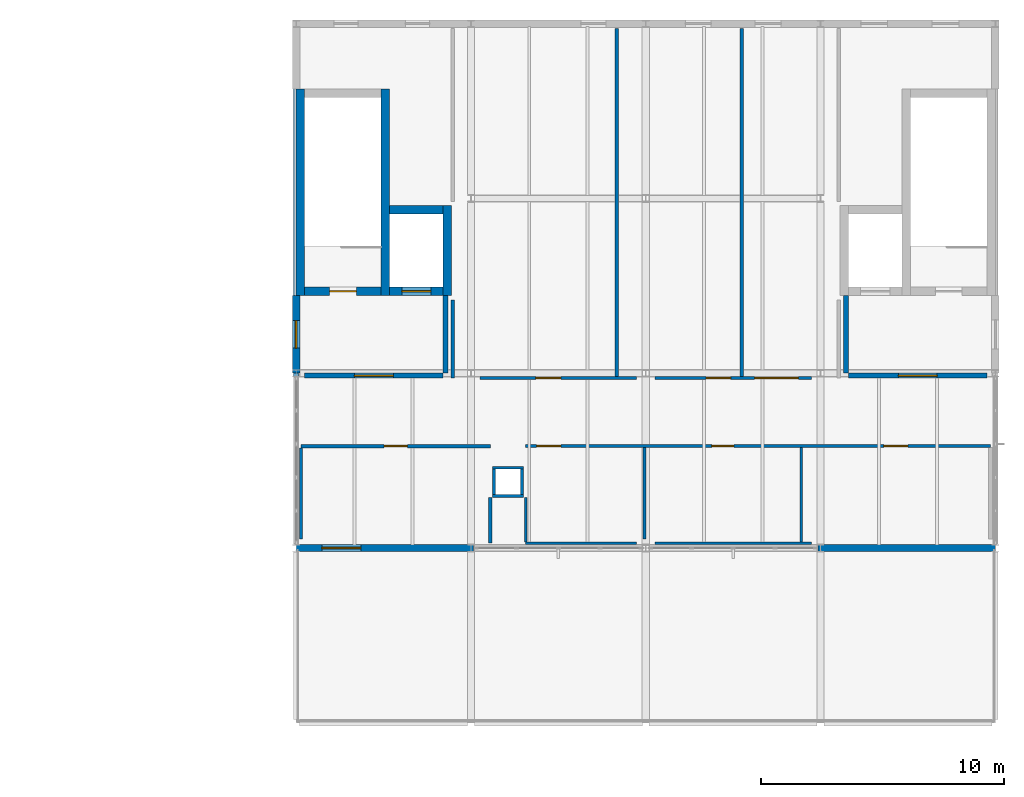
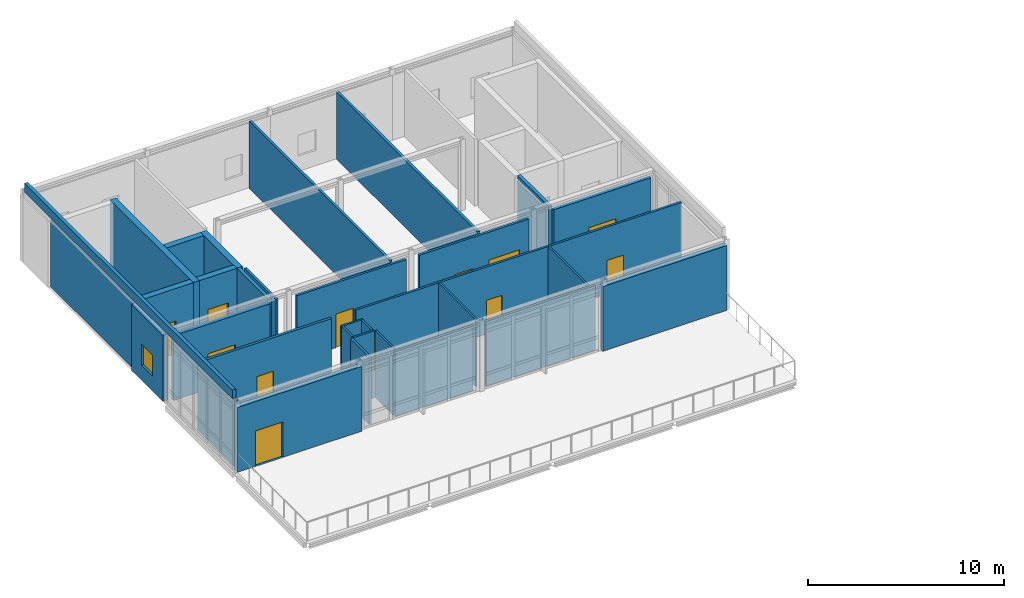
# One storey, part 16 of 21: 32 walls, 12 doors, 1 window, 13 openings.
"""IFC4 building model written with IfcOpenShell, lengths in metres."""

from ifc_helpers import new_model, si_unit, direction, frame, frame_2d, origin, place, context, subcontext, project, spatial, rectangle, extrude, material, layer, layer_set, type_object, element, fill, save


model = new_model("IFC4")

# Units and contexts
model_context = context("Model", 3, precision=1e-05, world=origin(), true_north=direction((0.0, 1.0)))
body_context = subcontext(model_context, "Body", "Model", "MODEL_VIEW")
ifc_project = project(units=[si_unit("LENGTHUNIT", "METRE"), si_unit("AREAUNIT", "SQUARE_METRE"), si_unit("VOLUMEUNIT", "CUBIC_METRE"), si_unit("PLANEANGLEUNIT", "RADIAN"), si_unit("MASSUNIT", "GRAM", prefix="KILO")], contexts=[model_context])

# Site, building, storey
site_placement = place(None, origin())
site = spatial("IfcSite", under=ifc_project, at=site_placement, CompositionType="ELEMENT")
building_placement = place(site_placement, origin())
building = spatial("IfcBuilding", under=site, at=building_placement, Name="Zarrinpeak Specialist Clinic", CompositionType="ELEMENT")
storey_placement = place(building_placement, frame((0.0, 0.0, 22.800048828125)))
storey = spatial("IfcBuildingStorey", under=building, at=storey_placement, Name="L05", CompositionType="ELEMENT", Elevation=22.800048828125)

# Wall, opening, door
ifc_material_1 = material(Name="Concrete C40/50", Category="concrete")
ifc_layer_1 = layer(ifc_material_1, 0.35009765625)
ifc_layer_set_1 = layer_set([ifc_layer_1], Name="Concrete C40/50")
wall_type_1 = type_object("IfcWallType", Name="WL-CR350", PredefinedType="SHEAR", material=ifc_layer_set_1)
wall_1_placement = place(storey_placement, frame((36.35009765625, 106.97509765625, 0.0), z_axis=(0.0, 0.0, 1.0), x_axis=(1.0, 0.0, 0.0)))
wall_1 = element("IfcWall", 1, at=wall_1_placement, inside=storey, type_object=wall_type_1, Name="L05 Core C11 Shear Wall STS", PredefinedType="SHEAR", context=body_context, shape_type="SweptSolid", body=[
    extrude(rectangle(XDim=3.14990234375, YDim=0.35009765625, at=frame_2d((1.574951171875, 0.0))), origin(), (0.0, 0.0, 1.0), 4.179931640625),
])
opening_1_placement = place(wall_1_placement, frame((1.02490234375, 0.0, 0.0)))
opening_1 = element("IfcOpeningElement", 2, at=opening_1_placement, cuts=wall_1, Name="Opening D-S02", PredefinedType="OPENING", context=body_context, shape_type="SweptSolid", body=[
    extrude(rectangle(XDim=1.10009765625, YDim=2.14990234375, at=frame_2d((0.550048828125, 1.074951171875))), frame((0.0, 0.18505859375, 0.0), z_axis=(0.0, -1.0, 0.0), x_axis=(1.0, 0.0, 0.0)), (0.0, 0.0, 1.0), 0.3701171875),
])
ifc_material_2 = material(Name="Powder-Coated Galvanised Steel", Category="steel")
door_type_1 = type_object("IfcDoorType", Name="DR-FD110", OperationType="SINGLE_SWING_RIGHT", PredefinedType="DOOR", material=ifc_material_2)
door_1_placement = place(opening_1_placement, origin())
door_1 = element("IfcDoor", 3, at=door_1_placement, inside=storey, type_object=door_type_1, Name="L05 Protected Stair ST-11 Fire Door", OperationType="SINGLE_SWING_RIGHT", OverallHeight=2.14990234375, OverallWidth=1.10009765625, PredefinedType="DOOR", context=body_context, shape_type="SweptSolid", body=[
    extrude(rectangle(XDim=1.10009765625, YDim=2.14990234375, at=frame_2d((0.550048828125, 1.074951171875))), frame((0.0, 0.02490234375, 0.0), z_axis=(0.0, -1.0, 0.0), x_axis=(1.0, 0.0, 0.0)), (0.0, 0.0, 1.0), 0.050048828125),
])
fill(opening_1, door_1)

# Walls
for number, where, z_axis, x_axis, name in (
    (4, (36.175048828125, 106.800048828125, 0.0), (0.0, 0.0, 1.0), (0.0, 1.0, 0.0), "L05 Core C11 Shear Wall STW"),
    (5, (39.675048828125, 106.800048828125, 0.0), (0.0, 0.0, 1.0), (0.0, 1.0, 0.0), "L05 Core C11 Shear Wall STE"),
):
    element("IfcWall", number, at=place(storey_placement, frame(where, z_axis=z_axis, x_axis=x_axis)), inside=storey, type_object=wall_type_1, Name=name, PredefinedType="SHEAR", context=body_context, shape_type="SweptSolid", body=[
        extrude(rectangle(XDim=8.5, YDim=0.35009765625, at=frame_2d((4.25, 0.0))), origin(), (0.0, 0.0, 1.0), 4.179931640625),
    ])

# Wall, opening, door
wall_2_placement = place(storey_placement, frame((39.85009765625, 106.97509765625, 0.0), z_axis=(0.0, 0.0, 1.0), x_axis=(1.0, 0.0, 0.0)))
wall_2 = element("IfcWall", 6, at=wall_2_placement, inside=storey, type_object=wall_type_1, Name="L05 Lift LF-P1 Shaft Wall LFS", PredefinedType="SHEAR", context=body_context, shape_type="SweptSolid", body=[
    extrude(rectangle(XDim=2.199951171875, YDim=0.35009765625, at=frame_2d((1.10009765625, 0.0))), origin(), (0.0, 0.0, 1.0), 4.179931640625),
])
opening_2_placement = place(wall_2_placement, frame((0.5, 0.0, 0.0)))
opening_2 = element("IfcOpeningElement", 7, at=opening_2_placement, cuts=wall_2, Name="Opening LD-02", PredefinedType="OPENING", context=body_context, shape_type="SweptSolid", body=[
    extrude(rectangle(XDim=1.199951171875, YDim=2.199951171875, at=frame_2d((0.60009765625, 1.10009765625))), frame((0.0, 0.18505859375, 0.0), z_axis=(0.0, -1.0, 0.0), x_axis=(1.0, 0.0, 0.0)), (0.0, 0.0, 1.0), 0.3701171875),
])
door_type_2 = type_object("IfcDoorType", Name="DR-LD120", OperationType="SLIDING_TO_RIGHT", PredefinedType="DOOR", material=ifc_material_2)
door_2_placement = place(opening_2_placement, origin())
door_2 = element("IfcDoor", 8, at=door_2_placement, inside=storey, type_object=door_type_2, Name="L05 Lift LF-P1 Sliding Landing Door", OperationType="SLIDING_TO_RIGHT", OverallHeight=2.199951171875, OverallWidth=1.199951171875, PredefinedType="DOOR", context=body_context, shape_type="SweptSolid", body=[
    extrude(rectangle(XDim=1.199951171875, YDim=2.199951171875, at=frame_2d((0.60009765625, 1.10009765625))), frame((0.0, 0.02490234375, 0.0), z_axis=(0.0, -1.0, 0.0), x_axis=(1.0, 0.0, 0.0)), (0.0, 0.0, 1.0), 0.050048828125),
])
fill(opening_2, door_2)

# Walls
wall_3_placement = place(storey_placement, frame((39.85009765625, 110.324951171875, 0.0), z_axis=(0.0, 0.0, 1.0), x_axis=(1.0, 0.0, 0.0)))
element("IfcWall", 9, at=wall_3_placement, inside=storey, type_object=wall_type_1, Name="L05 Lift LF-P1 Shaft Wall LFN", PredefinedType="SHEAR", context=body_context, shape_type="SweptSolid", body=[
    extrude(rectangle(XDim=2.199951171875, YDim=0.35009765625, at=frame_2d((1.10009765625, 0.0))), origin(), (0.0, 0.0, 1.0), 4.179931640625),
])
wall_4_placement = place(storey_placement, frame((42.22509765625, 106.800048828125, 0.0), z_axis=(0.0, 0.0, 1.0), x_axis=(0.0, 1.0, 0.0)))
element("IfcWall", 10, at=wall_4_placement, inside=storey, type_object=wall_type_1, Name="L05 Lift LF-P1 Shaft Wall LFE", PredefinedType="SHEAR", context=body_context, shape_type="SweptSolid", body=[
    extrude(rectangle(XDim=3.699951171875, YDim=0.35009765625, at=frame_2d((1.85009765625, 0.0))), origin(), (0.0, 0.0, 1.0), 4.179931640625),
])

# Wall, opening, door
ifc_material_3 = material(Name="Precast concrete C40/50", Category="concrete")
ifc_layer_2 = layer(ifc_material_3, 0.300048828125)
ifc_layer_set_2 = layer_set([ifc_layer_2], Name="Precast concrete C40/50")
wall_type_2 = type_object("IfcWallType", Name="WL-EW300", PredefinedType="STANDARD", material=ifc_layer_set_2)
wall_5_placement = place(storey_placement, frame((36.0, 96.39990234375, 0.0), z_axis=(0.0, 0.0, 1.0), x_axis=(1.0, 0.0, 0.0)))
wall_5 = element("IfcWall", 11, at=wall_5_placement, inside=storey, type_object=wall_type_2, Name="L05 V6 Exterior GRC Wall EW-L05-V6-0321", PredefinedType="STANDARD", context=body_context, shape_type="SweptSolid", body=[
    extrude(rectangle(XDim=7.31005859375, YDim=0.300048828125, at=frame_2d((3.655029296875, 0.0))), origin(), (0.0, 0.0, 1.0), 4.034912109375),
])
opening_3_placement = place(wall_5_placement, frame((1.06201171875, 0.0, 0.0)))
opening_3 = element("IfcOpeningElement", 12, at=opening_3_placement, cuts=wall_5, Name="Opening D-TR2", PredefinedType="OPENING", context=body_context, shape_type="SweptSolid", body=[
    extrude(rectangle(XDim=1.60009765625, YDim=2.199951171875, at=frame_2d((0.800048828125, 1.10009765625))), frame((0.0, 0.16015625, 0.0), z_axis=(0.0, -1.0, 0.0), x_axis=(1.0, 0.0, 0.0)), (0.0, 0.0, 1.0), 0.320068359375),
])
ifc_material_4 = material(Name="Powder-Coated Steel and Safety Glazing", Category="steel")
door_type_3 = type_object("IfcDoorType", Name="DR-TER160", OperationType="DOUBLE_DOOR_SINGLE_SWING", PredefinedType="DOOR", material=ifc_material_4)
door_3_placement = place(opening_3_placement, origin())
door_3 = element("IfcDoor", 13, at=door_3_placement, inside=storey, type_object=door_type_3, Name="L05 V6 Healing Terrace Access Door TD-07", OperationType="DOUBLE_DOOR_SINGLE_SWING", OverallHeight=2.199951171875, OverallWidth=1.60009765625, PredefinedType="DOOR", context=body_context, shape_type="SweptSolid", body=[
    extrude(rectangle(XDim=1.60009765625, YDim=2.199951171875, at=frame_2d((0.800048828125, 1.10009765625))), frame((0.0, 0.02490234375, 0.0), z_axis=(0.0, -1.0, 0.0), x_axis=(1.0, 0.0, 0.0)), (0.0, 0.0, 1.0), 0.050048828125),
])
fill(opening_3, door_3)

# Wall
wall_6_placement = place(storey_placement, frame((57.489990234375, 96.39990234375, 0.0), z_axis=(0.0, 0.0, 1.0), x_axis=(1.0, 0.0, 0.0)))
element("IfcWall", 14, at=wall_6_placement, inside=storey, type_object=wall_type_2, Name="L05 V6 Exterior GRC Wall EW-L05-V6-0322", PredefinedType="STANDARD", context=body_context, shape_type="SweptSolid", body=[
    extrude(rectangle(XDim=7.31005859375, YDim=0.300048828125, at=frame_2d((3.655029296875, 0.0))), origin(), (0.0, 0.0, 1.0), 4.034912109375),
])

# Wall, opening, window
wall_7_placement = place(storey_placement, frame((36.0, 106.800048828125, 0.0), z_axis=(0.0, 0.0, 1.0), x_axis=(0.0, -1.0, 0.0)))
wall_7 = element("IfcWall", 15, at=wall_7_placement, inside=storey, type_object=wall_type_2, Name="L05 V6 Exterior GRC Wall EW-L05-V6-0327", PredefinedType="STANDARD", context=body_context, shape_type="SweptSolid", body=[
    extrude(rectangle(XDim=3.199951171875, YDim=0.300048828125, at=frame_2d((1.60009765625, 0.0))), origin(), (0.0, 0.0, 1.0), 4.10986328125),
])
opening_4_placement = place(wall_7_placement, frame((1.033935546875, 0.0, 0.949951171875)))
opening_4 = element("IfcOpeningElement", 16, at=opening_4_placement, cuts=wall_7, Name="Opening WS-22", PredefinedType="OPENING", context=body_context, shape_type="SweptSolid", body=[
    extrude(rectangle(XDim=1.132080078125, YDim=1.2958984375, at=frame_2d((0.56591796875, 0.64794921875))), frame((0.0, 0.16015625, 0.0), z_axis=(0.0, -1.0, 0.0), x_axis=(1.0, 0.0, 0.0)), (0.0, 0.0, 1.0), 0.320068359375),
])
ifc_material_5 = material(Name="Thermally Broken Aluminium and Low-E Glazing", Category="aluminium")
window_type = type_object("IfcWindowType", Name="WN-SP22", PartitioningType="SINGLE_PANEL", PredefinedType="WINDOW", material=ifc_material_5)
window_placement = place(opening_4_placement, origin())
window = element("IfcWindow", 17, at=window_placement, inside=storey, type_object=window_type, Name="L05 Modular Facade Window WN-L05-0367", OverallHeight=1.2958984375, OverallWidth=1.132080078125, PartitioningType="SINGLE_PANEL", PredefinedType="WINDOW", context=body_context, shape_type="SweptSolid", body=[
    extrude(rectangle(XDim=1.132080078125, YDim=1.2958984375, at=frame_2d((0.56591796875, 0.64794921875))), frame((0.0, 0.030029296875, 0.0), z_axis=(0.0, -1.0, 0.0), x_axis=(1.0, 0.0, 0.0)), (0.0, 0.0, 1.0), 0.06005859375),
])
fill(opening_4, window)

# Walls
ifc_material_6 = material(Name="Sanitary Service Chase Plumbing Wall", Category="gypsum")
ifc_layer_3 = layer(ifc_material_6, 0.110107421875)
ifc_layer_set_3 = layer_set([ifc_layer_3], Name="Sanitary Service Chase Plumbing Wall")
wall_type_3 = type_object("IfcWallType", Name="WL-IW110", PredefinedType="PARTITIONING", material=ifc_layer_set_3)
for number, where, z_axis, x_axis, name in (
    (18, (44.090087890625, 98.544921875, 0.0), (0.0, 0.0, 1.0), (1.0, 0.0, 0.0), "L05 V6 Enclosed MEP Service Riser Wall S"),
    (19, (44.090087890625, 99.705078125, 0.0), (0.0, 0.0, 1.0), (1.0, 0.0, 0.0), "L05 V6 Enclosed MEP Service Riser Wall N"),
):
    element("IfcWall", number, at=place(storey_placement, frame(where, z_axis=z_axis, x_axis=x_axis)), inside=storey, type_object=wall_type_3, Name=name, PredefinedType="PARTITIONING", context=body_context, shape_type="SweptSolid", body=[
        extrude(rectangle(XDim=1.27001953125, YDim=0.110107421875, at=frame_2d((0.635009765625, 0.0))), origin(), (0.0, 0.0, 1.0), 4.179931640625),
    ])
for number, where, z_axis, x_axis, name in (
    (20, (44.14501953125, 98.60009765625, 0.0), (0.0, 0.0, 1.0), (0.0, 1.0, 0.0), "L05 V6 Enclosed MEP Service Riser Wall W"),
    (21, (45.304931640625, 98.60009765625, 0.0), (0.0, 0.0, 1.0), (0.0, 1.0, 0.0), "L05 V6 Enclosed MEP Service Riser Wall E"),
):
    element("IfcWall", number, at=place(storey_placement, frame(where, z_axis=z_axis, x_axis=x_axis)), inside=storey, type_object=wall_type_3, Name=name, PredefinedType="PARTITIONING", context=body_context, shape_type="SweptSolid", body=[
        extrude(rectangle(XDim=1.0498046875, YDim=0.110107421875, at=frame_2d((0.52490234375, 0.0))), origin(), (0.0, 0.0, 1.0), 4.179931640625),
    ])
wall_8_placement = place(storey_placement, frame((45.449951171875, 96.60009765625, 0.0), z_axis=(0.0, 0.0, 1.0), x_axis=(1.0, 0.0, 0.0)))
element("IfcWall", 22, at=wall_8_placement, inside=storey, type_object=wall_type_3, Name="L05 Accessible Executive WC Partition", PredefinedType="PARTITIONING", context=body_context, shape_type="SweptSolid", body=[
    extrude(rectangle(XDim=4.570068359375, YDim=0.110107421875, at=frame_2d((2.28515625, 0.0))), origin(), (0.0, 0.0, 1.0), 4.034912109375),
])
wall_9_placement = place(storey_placement, frame((50.780029296875, 96.60009765625, 0.0), z_axis=(0.0, 0.0, 1.0), x_axis=(1.0, 0.0, 0.0)))
element("IfcWall", 23, at=wall_9_placement, inside=storey, type_object=wall_type_3, Name="L05 Accessible Executive WC Partition", PredefinedType="PARTITIONING", context=body_context, shape_type="SweptSolid", body=[
    extrude(rectangle(XDim=6.43994140625, YDim=0.110107421875, at=frame_2d((3.219970703125, 0.0))), origin(), (0.0, 0.0, 1.0), 4.034912109375),
])
wall_10_placement = place(storey_placement, frame((45.449951171875, 96.655029296875, 0.0), z_axis=(0.0, 0.0, 1.0), x_axis=(0.0, 1.0, 0.0)))
element("IfcWall", 24, at=wall_10_placement, inside=storey, type_object=wall_type_3, Name="L05 Accessible Executive WC Dividing Partition", PredefinedType="PARTITIONING", context=body_context, shape_type="SweptSolid", body=[
    extrude(rectangle(XDim=1.8349609375, YDim=0.110107421875, at=frame_2d((0.91748046875, 0.0))), origin(), (0.0, 0.0, 1.0), 4.179931640625),
])
wall_11_placement = place(storey_placement, frame((50.35009765625, 96.780029296875, 0.0), z_axis=(0.0, 0.0, 1.0), x_axis=(0.0, 1.0, 0.0)))
element("IfcWall", 25, at=wall_11_placement, inside=storey, type_object=wall_type_3, Name="L05 Accessible Executive WC Dividing Partition", PredefinedType="PARTITIONING", context=body_context, shape_type="SweptSolid", body=[
    extrude(rectangle(XDim=3.757568359375, YDim=0.110107421875, at=frame_2d((1.87890625, 0.0))), origin(), (0.0, 0.0, 1.0), 4.179931640625),
])
wall_12_placement = place(storey_placement, frame((56.800048828125, 96.655029296875, 0.0), z_axis=(0.0, 0.0, 1.0), x_axis=(0.0, 1.0, 0.0)))
element("IfcWall", 26, at=wall_12_placement, inside=storey, type_object=wall_type_3, Name="L05 Staff WC Dividing Partition", PredefinedType="PARTITIONING", context=body_context, shape_type="SweptSolid", body=[
    extrude(rectangle(XDim=3.882568359375, YDim=0.110107421875, at=frame_2d((1.94140625, 0.0))), origin(), (0.0, 0.0, 1.0), 4.179931640625),
])

# Wall, openings, doors
ifc_material_7 = material(Name="Moisture-Resistant Wet-Room Partition", Category="gypsum")
ifc_layer_4 = layer(ifc_material_7, 0.125)
ifc_layer_set_4 = layer_set([ifc_layer_4], Name="Moisture-Resistant Wet-Room Partition")
wall_type_4 = type_object("IfcWallType", Name="WL-IW125W", PredefinedType="PARTITIONING", material=ifc_layer_set_4)
wall_13_placement = place(storey_placement, frame((45.449951171875, 100.60009765625, 0.0), z_axis=(0.0, 0.0, 1.0), x_axis=(1.0, 0.0, 0.0)))
wall_13 = element("IfcWall", 27, at=wall_13_placement, inside=storey, type_object=wall_type_4, Name="L05 Accessible Executive WC Partition", PredefinedType="PARTITIONING", context=body_context, shape_type="SweptSolid", body=[
    extrude(rectangle(XDim=19.150146484375, YDim=0.125, at=frame_2d((9.5751953125, 0.0))), origin(), (0.0, 0.0, 1.0), 4.179931640625),
])
opening_5_placement = place(wall_13_placement, frame((0.449951171875, 0.0, 0.0)))
opening_5 = element("IfcOpeningElement", 28, at=opening_5_placement, cuts=wall_13, Name="Opening D-W02", PredefinedType="OPENING", context=body_context, shape_type="SweptSolid", body=[
    extrude(rectangle(XDim=1.0, YDim=2.10009765625, at=frame_2d((0.5, 1.050048828125))), frame((0.0, 0.072509765625, 0.0), z_axis=(0.0, -1.0, 0.0), x_axis=(1.0, 0.0, 0.0)), (0.0, 0.0, 1.0), 0.14501953125),
])
opening_6_placement = place(wall_13_placement, frame((7.675048828125, 0.0, 0.0)))
opening_6 = element("IfcOpeningElement", 29, at=opening_6_placement, cuts=wall_13, Name="Opening D-W01", PredefinedType="OPENING", context=body_context, shape_type="SweptSolid", body=[
    extrude(rectangle(XDim=0.89990234375, YDim=2.10009765625, at=frame_2d((0.449951171875, 1.050048828125))), frame((0.0, 0.072509765625, 0.0), z_axis=(0.0, -1.0, 0.0), x_axis=(1.0, 0.0, 0.0)), (0.0, 0.0, 1.0), 0.14501953125),
])
opening_7_placement = place(wall_13_placement, frame((14.758056640625, 0.0, 0.0)))
opening_7 = element("IfcOpeningElement", 30, at=opening_7_placement, cuts=wall_13, Name="Opening DS-31", PredefinedType="OPENING", context=body_context, shape_type="SweptSolid", body=[
    extrude(rectangle(XDim=0.98388671875, YDim=2.095947265625, at=frame_2d((0.491943359375, 1.0478515625))), frame((0.0, 0.072509765625, 0.0), z_axis=(0.0, -1.0, 0.0), x_axis=(1.0, 0.0, 0.0)), (0.0, 0.0, 1.0), 0.14501953125),
])
door_type_4 = type_object("IfcDoorType", Name="DR-AWC100", OperationType="SLIDING_TO_LEFT", PredefinedType="DOOR", material=ifc_material_2)
door_4_placement = place(opening_5_placement, origin())
door_4 = element("IfcDoor", 31, at=door_4_placement, inside=storey, type_object=door_type_4, Name="L05 Accessible Executive WC Door", OperationType="SLIDING_TO_LEFT", OverallHeight=2.10009765625, OverallWidth=1.0, PredefinedType="DOOR", context=body_context, shape_type="SweptSolid", body=[
    extrude(rectangle(XDim=1.0, YDim=2.10009765625, at=frame_2d((0.5, 1.050048828125))), frame((0.0, 0.02490234375, 0.0), z_axis=(0.0, -1.0, 0.0), x_axis=(1.0, 0.0, 0.0)), (0.0, 0.0, 1.0), 0.050048828125),
])
fill(opening_5, door_4)
door_type_5 = type_object("IfcDoorType", Name="DR-SP31", OperationType="SINGLE_SWING_RIGHT", PredefinedType="DOOR", material=ifc_material_2)
door_5_placement = place(opening_7_placement, origin())
door_5 = element("IfcDoor", 32, at=door_5_placement, inside=storey, type_object=door_type_5, Name="L05 Quality Safety Analytics Office Door", OperationType="SINGLE_SWING_RIGHT", OverallHeight=2.095947265625, OverallWidth=0.98388671875, PredefinedType="DOOR", context=body_context, shape_type="SweptSolid", body=[
    extrude(rectangle(XDim=0.98388671875, YDim=2.095947265625, at=frame_2d((0.491943359375, 1.0478515625))), frame((0.0, 0.02490234375, 0.0), z_axis=(0.0, -1.0, 0.0), x_axis=(1.0, 0.0, 0.0)), (0.0, 0.0, 1.0), 0.050048828125),
])
fill(opening_7, door_5)
door_type_6 = type_object("IfcDoorType", Name="DR-WC90", OperationType="SINGLE_SWING_RIGHT", PredefinedType="DOOR", material=ifc_material_2)
door_6_placement = place(opening_6_placement, origin())
door_6 = element("IfcDoor", 33, at=door_6_placement, inside=storey, type_object=door_type_6, Name="L05 Staff WC Door", OperationType="SINGLE_SWING_RIGHT", OverallHeight=2.10009765625, OverallWidth=0.89990234375, PredefinedType="DOOR", context=body_context, shape_type="SweptSolid", body=[
    extrude(rectangle(XDim=0.89990234375, YDim=2.10009765625, at=frame_2d((0.449951171875, 1.050048828125))), frame((0.0, 0.02490234375, 0.0), z_axis=(0.0, -1.0, 0.0), x_axis=(1.0, 0.0, 0.0)), (0.0, 0.0, 1.0), 0.050048828125),
])
fill(opening_6, door_6)

# Wall, opening, door
ifc_material_8 = material(Name="Standard Drywall Partition", Category="gypsum")
ifc_layer_5 = layer(ifc_material_8, 0.135009765625)
ifc_layer_set_5 = layer_set([ifc_layer_5], Name="Standard Drywall Partition")
wall_type_5 = type_object("IfcWallType", Name="WL-IW135", PredefinedType="PARTITIONING", material=ifc_layer_set_5)
wall_14_placement = place(storey_placement, frame((43.580078125, 103.39990234375, 0.0), z_axis=(0.0, 0.0, 1.0), x_axis=(1.0, 0.0, 0.0)))
wall_14 = element("IfcWall", 34, at=wall_14_placement, inside=storey, type_object=wall_type_5, Name="L05 Clinical Governance Boardroom Partition", PredefinedType="PARTITIONING", context=body_context, shape_type="SweptSolid", body=[
    extrude(rectangle(XDim=6.43994140625, YDim=0.135009765625, at=frame_2d((3.219970703125, 0.0))), origin(), (0.0, 0.0, 1.0), 4.034912109375),
])
opening_8_placement = place(wall_14_placement, frame((2.2919921875, 0.0, 0.0)))
opening_8 = element("IfcOpeningElement", 35, at=opening_8_placement, cuts=wall_14, Name="Opening DS-33", PredefinedType="OPENING", context=body_context, shape_type="SweptSolid", body=[
    extrude(rectangle(XDim=1.035888671875, YDim=2.095947265625, at=frame_2d((0.51806640625, 1.0478515625))), frame((0.0, 0.07763671875, 0.0), z_axis=(0.0, -1.0, 0.0), x_axis=(1.0, 0.0, 0.0)), (0.0, 0.0, 1.0), 0.155029296875),
])
door_type_7 = type_object("IfcDoorType", Name="DR-SP33", OperationType="SINGLE_SWING_RIGHT", PredefinedType="DOOR", material=ifc_material_2)
door_7_placement = place(opening_8_placement, frame((1.035888671875, 0.0, 0.0), z_axis=(0.0, 0.0, 1.0), x_axis=(-1.0, 0.0, 0.0)))
door_7 = element("IfcDoor", 36, at=door_7_placement, inside=storey, type_object=door_type_7, Name="L05 Specialist Consultation Room 2 Door", OperationType="SINGLE_SWING_RIGHT", OverallHeight=2.095947265625, OverallWidth=1.035888671875, PredefinedType="DOOR", context=body_context, shape_type="SweptSolid", body=[
    extrude(rectangle(XDim=1.035888671875, YDim=2.095947265625, at=frame_2d((0.51806640625, 1.0478515625))), frame((0.0, 0.02490234375, 0.0), z_axis=(0.0, -1.0, 0.0), x_axis=(1.0, 0.0, 0.0)), (0.0, 0.0, 1.0), 0.050048828125),
])
fill(opening_8, door_7)

# Wall, openings, doors
wall_15_placement = place(storey_placement, frame((50.780029296875, 103.39990234375, 0.0), z_axis=(0.0, 0.0, 1.0), x_axis=(1.0, 0.0, 0.0)))
wall_15 = element("IfcWall", 37, at=wall_15_placement, inside=storey, type_object=wall_type_5, Name="L05 Clinical Governance Boardroom Partition", PredefinedType="PARTITIONING", context=body_context, shape_type="SweptSolid", body=[
    extrude(rectangle(XDim=6.43994140625, YDim=0.135009765625, at=frame_2d((3.219970703125, 0.0))), origin(), (0.0, 0.0, 1.0), 4.034912109375),
])
opening_9_placement = place(wall_15_placement, frame((4.10498046875, 0.0, 0.0)))
opening_9 = element("IfcOpeningElement", 38, at=opening_9_placement, cuts=wall_15, Name="Opening D-H01", PredefinedType="OPENING", context=body_context, shape_type="SweptSolid", body=[
    extrude(rectangle(XDim=1.800048828125, YDim=2.300048828125, at=frame_2d((0.89990234375, 1.14990234375))), frame((0.0, 0.07763671875, 0.0), z_axis=(0.0, -1.0, 0.0), x_axis=(1.0, 0.0, 0.0)), (0.0, 0.0, 1.0), 0.155029296875),
])
opening_10_placement = place(wall_15_placement, frame((2.110107421875, 0.0, 0.0)))
opening_10 = element("IfcOpeningElement", 39, at=opening_10_placement, cuts=wall_15, Name="Opening DS-32", PredefinedType="OPENING", context=body_context, shape_type="SweptSolid", body=[
    extrude(rectangle(XDim=1.010009765625, YDim=2.095947265625, at=frame_2d((0.5048828125, 1.0478515625))), frame((0.0, 0.07763671875, 0.0), z_axis=(0.0, -1.0, 0.0), x_axis=(1.0, 0.0, 0.0)), (0.0, 0.0, 1.0), 0.155029296875),
])
door_type_8 = type_object("IfcDoorType", Name="DR-HAL180", OperationType="DOUBLE_DOOR_SINGLE_SWING", PredefinedType="DOOR", material=ifc_material_2)
door_8_placement = place(opening_9_placement, frame((1.800048828125, 0.0, 0.0), z_axis=(0.0, 0.0, 1.0), x_axis=(-1.0, 0.0, 0.0)))
door_8 = element("IfcDoor", 40, at=door_8_placement, inside=storey, type_object=door_type_8, Name="L05 Clinical Governance Boardroom Door", OperationType="DOUBLE_DOOR_SINGLE_SWING", OverallHeight=2.300048828125, OverallWidth=1.800048828125, PredefinedType="DOOR", context=body_context, shape_type="SweptSolid", body=[
    extrude(rectangle(XDim=1.800048828125, YDim=2.300048828125, at=frame_2d((0.89990234375, 1.14990234375))), frame((0.0, 0.02490234375, 0.0), z_axis=(0.0, -1.0, 0.0), x_axis=(1.0, 0.0, 0.0)), (0.0, 0.0, 1.0), 0.050048828125),
])
fill(opening_9, door_8)
door_type_9 = type_object("IfcDoorType", Name="DR-SP32", OperationType="SINGLE_SWING_LEFT", PredefinedType="DOOR", material=ifc_material_2)
door_9_placement = place(opening_10_placement, frame((1.010009765625, 0.0, 0.0), z_axis=(0.0, 0.0, 1.0), x_axis=(-1.0, 0.0, 0.0)))
door_9 = element("IfcDoor", 41, at=door_9_placement, inside=storey, type_object=door_type_9, Name="L05 Specialist Consultation Room 1 Door", OperationType="SINGLE_SWING_LEFT", OverallHeight=2.095947265625, OverallWidth=1.010009765625, PredefinedType="DOOR", context=body_context, shape_type="SweptSolid", body=[
    extrude(rectangle(XDim=1.010009765625, YDim=2.095947265625, at=frame_2d((0.5048828125, 1.0478515625))), frame((0.0, 0.02490234375, 0.0), z_axis=(0.0, -1.0, 0.0), x_axis=(1.0, 0.0, 0.0)), (0.0, 0.0, 1.0), 0.050048828125),
])
fill(opening_10, door_9)

# Walls
wall_16_placement = place(storey_placement, frame((42.449951171875, 103.39990234375, 0.0), z_axis=(0.0, 0.0, 1.0), x_axis=(0.0, 1.0, 0.0)))
element("IfcWall", 42, at=wall_16_placement, inside=storey, type_object=wall_type_5, Name="L05 Specialist Consultation Room 2 Dividing Partition", PredefinedType="PARTITIONING", context=body_context, shape_type="SweptSolid", body=[
    extrude(rectangle(XDim=3.22509765625, YDim=0.135009765625, at=frame_2d((1.612548828125, 0.0))), origin(), (0.0, 0.0, 1.0), 4.179931640625),
])
wall_17_placement = place(storey_placement, frame((49.199951171875, 103.467529296875, 0.0), z_axis=(0.0, 0.0, 1.0), x_axis=(0.0, 1.0, 0.0)))
element("IfcWall", 43, at=wall_17_placement, inside=storey, type_object=wall_type_5, Name="L05 Specialist Consultation Room 1 Dividing Partition", PredefinedType="PARTITIONING", context=body_context, shape_type="SweptSolid", body=[
    extrude(rectangle(XDim=14.33251953125, YDim=0.135009765625, at=frame_2d((7.166259765625, 0.0))), origin(), (0.0, 0.0, 1.0), 4.179931640625),
])
ifc_material_9 = material(Name="Acoustic Consultation Stud Partition", Category="gypsum")
ifc_layer_6 = layer(ifc_material_9, 0.14208984375)
ifc_layer_set_6 = layer_set([ifc_layer_6], Name="Acoustic Consultation Stud Partition")
wall_type_6 = type_object("IfcWallType", Name="WL-IW142", PredefinedType="PARTITIONING", material=ifc_layer_set_6)
wall_18_placement = place(storey_placement, frame((36.199951171875, 96.780029296875, 0.0), z_axis=(0.0, 0.0, 1.0), x_axis=(0.0, 1.0, 0.0)))
element("IfcWall", 44, at=wall_18_placement, inside=storey, type_object=wall_type_6, Name="L05 Hospital Medical Directorate Dividing Partition", PredefinedType="PARTITIONING", context=body_context, shape_type="SweptSolid", body=[
    extrude(rectangle(XDim=3.744873046875, YDim=0.14208984375, at=frame_2d((1.87255859375, 0.0))), origin(), (0.0, 0.0, 1.0), 4.10986328125),
])

# Wall, opening, door
ifc_material_10 = material(Name="Insulated Clinical Gypsum Stud Partition", Category="gypsum")
ifc_layer_7 = layer(ifc_material_10, 0.14990234375)
ifc_layer_set_7 = layer_set([ifc_layer_7], Name="Insulated Clinical Gypsum Stud Partition")
wall_type_7 = type_object("IfcWallType", Name="WL-IW150", PredefinedType="PARTITIONING", material=ifc_layer_set_7)
wall_19_placement = place(storey_placement, frame((36.199951171875, 100.60009765625, 0.0), z_axis=(0.0, 0.0, 1.0), x_axis=(1.0, 0.0, 0.0)))
wall_19 = element("IfcWall", 45, at=wall_19_placement, inside=storey, type_object=wall_type_7, Name="L05 Hospital Medical Directorate Partition", PredefinedType="PARTITIONING", context=body_context, shape_type="SweptSolid", body=[
    extrude(rectangle(XDim=7.800048828125, YDim=0.14990234375, at=frame_2d((3.89990234375, 0.0))), origin(), (0.0, 0.0, 1.0), 4.179931640625),
])
opening_11_placement = place(wall_19_placement, frame((3.4208984375, 0.0, 0.0)))
opening_11 = element("IfcOpeningElement", 46, at=opening_11_placement, cuts=wall_19, Name="Opening DS-30", PredefinedType="OPENING", context=body_context, shape_type="SweptSolid", body=[
    extrude(rectangle(XDim=0.9580078125, YDim=2.095947265625, at=frame_2d((0.47900390625, 1.0478515625))), frame((0.0, 0.0849609375, 0.0), z_axis=(0.0, -1.0, 0.0), x_axis=(1.0, 0.0, 0.0)), (0.0, 0.0, 1.0), 0.169921875),
])
door_type_10 = type_object("IfcDoorType", Name="DR-SP30", OperationType="SINGLE_SWING_LEFT", PredefinedType="DOOR", material=ifc_material_2)
door_10_placement = place(opening_11_placement, origin())
door_10 = element("IfcDoor", 47, at=door_10_placement, inside=storey, type_object=door_type_10, Name="L05 Hospital Medical Directorate Door", OperationType="SINGLE_SWING_LEFT", OverallHeight=2.095947265625, OverallWidth=0.9580078125, PredefinedType="DOOR", context=body_context, shape_type="SweptSolid", body=[
    extrude(rectangle(XDim=0.9580078125, YDim=2.095947265625, at=frame_2d((0.47900390625, 1.0478515625))), frame((0.0, 0.02490234375, 0.0), z_axis=(0.0, -1.0, 0.0), x_axis=(1.0, 0.0, 0.0)), (0.0, 0.0, 1.0), 0.050048828125),
])
fill(opening_11, door_10)

# Walls
wall_20_placement = place(storey_placement, frame((44.0, 96.60009765625, 0.0), z_axis=(0.0, 0.0, 1.0), x_axis=(0.0, 1.0, 0.0)))
element("IfcWall", 48, at=wall_20_placement, inside=storey, type_object=wall_type_7, Name="L05 Hospital Medical Directorate Dividing Partition", PredefinedType="PARTITIONING", context=body_context, shape_type="SweptSolid", body=[
    extrude(rectangle(XDim=1.889892578125, YDim=0.14990234375, at=frame_2d((0.94482421875, 0.0))), origin(), (0.0, 0.0, 1.0), 4.179931640625),
])
wall_21_placement = place(storey_placement, frame((54.35009765625, 103.467529296875, 0.0), z_axis=(0.0, 0.0, 1.0), x_axis=(0.0, 1.0, 0.0)))
element("IfcWall", 49, at=wall_21_placement, inside=storey, type_object=wall_type_7, Name="L05 Clinical Governance Boardroom Dividing Partition", PredefinedType="PARTITIONING", context=body_context, shape_type="SweptSolid", body=[
    extrude(rectangle(XDim=14.33251953125, YDim=0.14990234375, at=frame_2d((7.166259765625, 0.0))), origin(), (0.0, 0.0, 1.0), 4.179931640625),
])

# Wall, opening, door
ifc_material_11 = material(Name="Autoclaved Aerated Concrete Blockwork", Category="masonry")
ifc_layer_8 = layer(ifc_material_11, 0.199951171875)
ifc_layer_set_8 = layer_set([ifc_layer_8], Name="Autoclaved Aerated Concrete Blockwork")
wall_type_8 = type_object("IfcWallType", Name="WL-IW200", PredefinedType="PARTITIONING", material=ifc_layer_set_8)
wall_22_placement = place(storey_placement, frame((36.35009765625, 103.5, 0.0), z_axis=(0.0, 0.0, 1.0), x_axis=(1.0, 0.0, 0.0)))
wall_22 = element("IfcWall", 50, at=wall_22_placement, inside=storey, type_object=wall_type_8, Name="L05 C11 Protected Lobby Partition LBF", PredefinedType="PARTITIONING", context=body_context, shape_type="SweptSolid", body=[
    extrude(rectangle(XDim=5.699951171875, YDim=0.199951171875, at=frame_2d((2.85009765625, 0.0))), origin(), (0.0, 0.0, 1.0), 4.034912109375),
])
opening_12_placement = place(wall_22_placement, frame((2.050048828125, 0.0, 0.0)))
opening_12 = element("IfcOpeningElement", 51, at=opening_12_placement, cuts=wall_22, Name="Opening D-L01", PredefinedType="OPENING", context=body_context, shape_type="SweptSolid", body=[
    extrude(rectangle(XDim=1.60009765625, YDim=2.199951171875, at=frame_2d((0.800048828125, 1.10009765625))), frame((0.0, 0.10986328125, 0.0), z_axis=(0.0, -1.0, 0.0), x_axis=(1.0, 0.0, 0.0)), (0.0, 0.0, 1.0), 0.219970703125),
])
door_type_11 = type_object("IfcDoorType", Name="DR-LB160", OperationType="DOUBLE_DOOR_SINGLE_SWING", PredefinedType="DOOR", material=ifc_material_2)
door_11_placement = place(opening_12_placement, origin())
door_11 = element("IfcDoor", 52, at=door_11_placement, inside=storey, type_object=door_type_11, Name="L05 C11 Lobby Hold-Open Fire Door", OperationType="DOUBLE_DOOR_SINGLE_SWING", OverallHeight=2.199951171875, OverallWidth=1.60009765625, PredefinedType="DOOR", context=body_context, shape_type="SweptSolid", body=[
    extrude(rectangle(XDim=1.60009765625, YDim=2.199951171875, at=frame_2d((0.800048828125, 1.10009765625))), frame((0.0, 0.02490234375, 0.0), z_axis=(0.0, -1.0, 0.0), x_axis=(1.0, 0.0, 0.0)), (0.0, 0.0, 1.0), 0.050048828125),
])
fill(opening_12, door_11)

# Wall
wall_23_placement = place(storey_placement, frame((42.14990234375, 103.60009765625, 0.0), z_axis=(0.0, 0.0, 1.0), x_axis=(0.0, 1.0, 0.0)))
element("IfcWall", 53, at=wall_23_placement, inside=storey, type_object=wall_type_8, Name="L05 C11 Protected Lobby Partition LBE", PredefinedType="PARTITIONING", context=body_context, shape_type="SweptSolid", body=[
    extrude(rectangle(XDim=3.199951171875, YDim=0.199951171875, at=frame_2d((1.60009765625, 0.0))), origin(), (0.0, 0.0, 1.0), 4.179931640625),
])

# Wall, opening, door
wall_24_placement = place(storey_placement, frame((58.75, 103.5, 0.0), z_axis=(0.0, 0.0, 1.0), x_axis=(1.0, 0.0, 0.0)))
wall_24 = element("IfcWall", 54, at=wall_24_placement, inside=storey, type_object=wall_type_8, Name="L05 C12 Protected Lobby Partition LBF", PredefinedType="PARTITIONING", context=body_context, shape_type="SweptSolid", body=[
    extrude(rectangle(XDim=5.699951171875, YDim=0.199951171875, at=frame_2d((2.85009765625, 0.0))), origin(), (0.0, 0.0, 1.0), 4.034912109375),
])
opening_13_placement = place(wall_24_placement, frame((2.050048828125, 0.0, 0.0)))
opening_13 = element("IfcOpeningElement", 55, at=opening_13_placement, cuts=wall_24, Name="Opening D-L01", PredefinedType="OPENING", context=body_context, shape_type="SweptSolid", body=[
    extrude(rectangle(XDim=1.60009765625, YDim=2.199951171875, at=frame_2d((0.800048828125, 1.10009765625))), frame((0.0, 0.10986328125, 0.0), z_axis=(0.0, -1.0, 0.0), x_axis=(1.0, 0.0, 0.0)), (0.0, 0.0, 1.0), 0.219970703125),
])
door_12_placement = place(opening_13_placement, origin())
door_12 = element("IfcDoor", 56, at=door_12_placement, inside=storey, type_object=door_type_11, Name="L05 C12 Lobby Hold-Open Fire Door", OperationType="DOUBLE_DOOR_SINGLE_SWING", OverallHeight=2.199951171875, OverallWidth=1.60009765625, PredefinedType="DOOR", context=body_context, shape_type="SweptSolid", body=[
    extrude(rectangle(XDim=1.60009765625, YDim=2.199951171875, at=frame_2d((0.800048828125, 1.10009765625))), frame((0.0, 0.02490234375, 0.0), z_axis=(0.0, -1.0, 0.0), x_axis=(1.0, 0.0, 0.0)), (0.0, 0.0, 1.0), 0.050048828125),
])
fill(opening_13, door_12)

# Walls
wall_25_placement = place(storey_placement, frame((58.64990234375, 103.60009765625, 0.0), z_axis=(0.0, 0.0, 1.0), x_axis=(0.0, 1.0, 0.0)))
element("IfcWall", 57, at=wall_25_placement, inside=storey, type_object=wall_type_8, Name="L05 C12 Protected Lobby Partition LBW", PredefinedType="PARTITIONING", context=body_context, shape_type="SweptSolid", body=[
    extrude(rectangle(XDim=3.199951171875, YDim=0.199951171875, at=frame_2d((1.60009765625, 0.0))), origin(), (0.0, 0.0, 1.0), 4.179931640625),
])
ifc_layer_9 = layer(ifc_material_3, 0.199951171875)
ifc_layer_set_9 = layer_set([ifc_layer_9], Name="Precast concrete C40/50")
wall_type_9 = type_object("IfcWallType", Name="WL-PAR200", PredefinedType="PARAPET", material=ifc_layer_set_9)
wall_26_placement = place(storey_placement, frame((36.0, 96.60009765625, 4.39990234375), z_axis=(0.0, 0.0, 1.0), x_axis=(0.0, 1.0, 0.0)))
element("IfcWall", 58, at=wall_26_placement, inside=storey, type_object=wall_type_9, Name="V6 Eave Gutter Parapet Upstand PAR-RF-03", PredefinedType="PARAPET", context=body_context, shape_type="SweptSolid", body=[
    extrude(rectangle(XDim=21.199951171875, YDim=0.199951171875, at=frame_2d((10.60009765625, 0.0))), origin(), (0.0, 0.0, 1.0), 0.550048828125),
])

save(model, "model.ifc")
